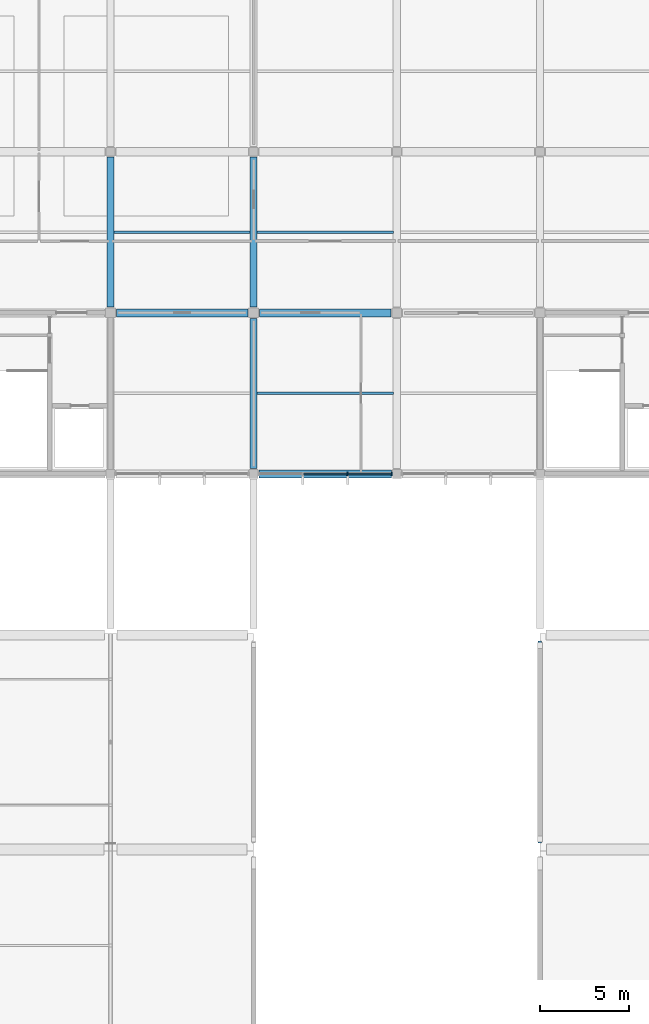
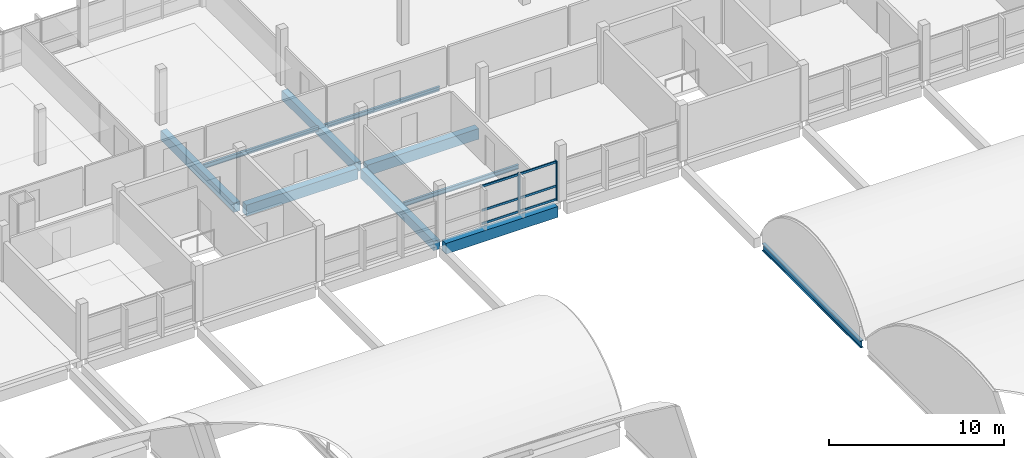
# One storey, part 21 of 57: 10 beams, 8 members, 1 element without a shape of its own.
"""IFC4 building model written with IfcOpenShell, lengths in metres."""

from ifc_helpers import new_model, si_unit, direction, frame, origin, origin_2d, place, context, subcontext, project, spatial, rectangle, i_section, extrude, material, material_profile, profile_set, type_object, element, aggregate, save


model = new_model("IFC4")

# Units and contexts
model_context = context("Model", 3, precision=1e-05, world=origin(), true_north=direction((0.0, 1.0)))
body_context = subcontext(model_context, "Body", "Model", "MODEL_VIEW")
ifc_project = project(units=[si_unit("LENGTHUNIT", "METRE"), si_unit("AREAUNIT", "SQUARE_METRE"), si_unit("VOLUMEUNIT", "CUBIC_METRE"), si_unit("PLANEANGLEUNIT", "RADIAN"), si_unit("MASSUNIT", "GRAM", prefix="KILO"), si_unit("THERMODYNAMICTEMPERATUREUNIT", "KELVIN"), si_unit("POWERUNIT", "WATT")], contexts=[model_context])

# Site, building, storey
site_placement = place(None, origin())
site = spatial("IfcSite", under=ifc_project, at=site_placement, CompositionType="ELEMENT")
building_placement = place(site_placement, origin())
building = spatial("IfcBuilding", under=site, at=building_placement, Name="Kronsvod Quay Wholesale Market", CompositionType="ELEMENT")
storey_placement = place(building_placement, frame((0.0, 0.0, 13.199951171875)))
storey = spatial("IfcBuildingStorey", under=building, at=storey_placement, Name="L03", CompositionType="ELEMENT", Elevation=13.199951171875)

# Beams
ifc_material_1 = material(Name="Precast concrete C40/50", Category="concrete")
ifc_material_profile_1 = material_profile(ifc_material_1, rectangle(XDim=0.39990234375, YDim=0.64990234375, at=origin_2d()), Name="PCB400x650")
ifc_profile_set_1 = profile_set([ifc_material_profile_1], Name="Precast concrete C40/50")
beam_type_1 = type_object("IfcBeamType", Name="Beam_PCB400x650", PredefinedType="BEAM", material=ifc_profile_set_1)
for number, where, z_axis, x_axis, name in (
    (1, (80.0, 108.324951171875, -0.635009765625), (0.0, 1.0, 0.0), (-1.0, 0.0, 0.0), "BMY-L03-800-1080"),
    (2, (88.0, 99.300048828125, -0.635009765625), (0.0, 1.0, 0.0), (-1.0, 0.0, 0.0), "BMY-L03-880-990"),
    (3, (88.0, 108.324951171875, -0.635009765625), (0.0, 1.0, 0.0), (-1.0, 0.0, 0.0), "BMY-L03-880-1080"),
):
    element("IfcBeam", number, at=place(storey_placement, frame(where, z_axis=z_axis, x_axis=x_axis)), inside=storey, type_object=beam_type_1, Name=name, PredefinedType="BEAM", context=body_context, shape_type="SweptSolid", body=[
        extrude(rectangle(XDim=0.39990234375, YDim=0.64990234375, at=origin_2d()), origin(), (0.0, 0.0, 1.0), 8.375),
    ])
ifc_material_2 = material(Name="Precast concrete C40/50", Category="concrete")
ifc_material_profile_2 = material_profile(ifc_material_2, rectangle(XDim=0.449951171875, YDim=0.75, at=origin_2d()), Name="PCB450x750")
ifc_profile_set_2 = profile_set([ifc_material_profile_2], Name="Precast concrete C40/50")
beam_type_2 = type_object("IfcBeamType", Name="Beam_PCB450x750", PredefinedType="BEAM", material=ifc_profile_set_2)
beam_1_placement = place(storey_placement, frame((88.300048828125, 99.0, -0.68505859375), z_axis=(1.0, 0.0, 0.0), x_axis=(0.0, 1.0, 0.0)))
element("IfcBeam", 4, at=beam_1_placement, inside=storey, type_object=beam_type_2, Name="BMX-L03-880-990", PredefinedType="BEAM", context=body_context, shape_type="SweptSolid", body=[
    extrude(rectangle(XDim=0.449951171875, YDim=0.75, at=origin_2d()), origin(), (0.0, 0.0, 1.0), 7.39990234375),
])
for number, where, z_axis, x_axis, name in (
    (5, (80.324951171875, 108.0, -0.68505859375), (1.0, 0.0, 0.0), (0.0, 1.0, 0.0), "BMX-L03-800-1080"),
    (6, (88.324951171875, 108.0, -0.68505859375), (1.0, 0.0, 0.0), (0.0, 1.0, 0.0), "BMX-L03-880-1080"),
):
    element("IfcBeam", number, at=place(storey_placement, frame(where, z_axis=z_axis, x_axis=x_axis)), inside=storey, type_object=beam_type_2, Name=name, PredefinedType="BEAM", context=body_context, shape_type="SweptSolid", body=[
        extrude(rectangle(XDim=0.449951171875, YDim=0.75, at=origin_2d()), origin(), (0.0, 0.0, 1.0), 7.35009765625),
    ])
ifc_material_3 = material(Name="Steel S355", Category="steel")
ifc_material_profile_3 = material_profile(ifc_material_3, i_section(OverallWidth=0.198974609375, OverallDepth=0.49609375, WebThickness=0.009033203125, FlangeThickness=0.013916015625, FilletRadius=0.02001953125, at=origin_2d()), Name="50B1")
ifc_profile_set_3 = profile_set([ifc_material_profile_3], Name="Steel S355")
beam_type_3 = type_object("IfcBeamType", Name="Girder_Steel50B1", PredefinedType="T_BEAM", material=ifc_profile_set_3)
beam_2_placement = place(storey_placement, frame((104.0, 78.375, -0.468017578125), z_axis=(0.0, 1.0, 0.0), x_axis=(-1.0, 0.0, 0.0)))
element("IfcBeam", 7, at=beam_2_placement, inside=storey, type_object=beam_type_3, Name="BMY-L03-1040-780", PredefinedType="T_BEAM", context=body_context, shape_type="SweptSolid", body=[
    extrude(i_section(OverallWidth=0.198974609375, OverallDepth=0.49609375, WebThickness=0.009033203125, FlangeThickness=0.013916015625, FilletRadius=0.02001953125, at=origin_2d()), origin(), (0.0, 0.0, 1.0), 11.27490234375),
])
ifc_material_4 = material(Name="Steel S355", Category="steel")
ifc_material_profile_4 = material_profile(ifc_material_4, i_section(OverallWidth=0.14990234375, OverallDepth=0.300048828125, WebThickness=0.006591796875, FlangeThickness=0.009033203125, FilletRadius=0.012939453125, at=origin_2d()), Name="30B2")
ifc_profile_set_4 = profile_set([ifc_material_profile_4], Name="Steel S355")
beam_type_4 = type_object("IfcBeamType", Name="Joist_Steel30B2", PredefinedType="JOIST", material=ifc_profile_set_4)
for number, where, z_axis, x_axis, name in (
    (8, (80.195068359375, 112.5, -0.39990234375), (1.0, 0.0, 0.0), (0.0, 1.0, 0.0), "JSTX-L03-800-1080"),
    (9, (88.195068359375, 103.5, -0.39990234375), (1.0, 0.0, 0.0), (0.0, 1.0, 0.0), "JSTX-L03-880-990"),
    (10, (88.195068359375, 112.5, -0.39990234375), (1.0, 0.0, 0.0), (0.0, 1.0, 0.0), "JSTX-L03-880-1080"),
):
    element("IfcBeam", number, at=place(storey_placement, frame(where, z_axis=z_axis, x_axis=x_axis)), inside=storey, type_object=beam_type_4, Name=name, PredefinedType="JOIST", context=body_context, shape_type="SweptSolid", body=[
        extrude(i_section(OverallWidth=0.14990234375, OverallDepth=0.300048828125, WebThickness=0.006591796875, FlangeThickness=0.009033203125, FilletRadius=0.012939453125, at=origin_2d()), origin(), (0.0, 0.0, 1.0), 7.60986328125),
    ])

# Curtain wall, members
ifc_material_5 = material(Name="Thermally broken aluminium and triple low-E glazing", Category="aluminium")
curtain_wall_type = type_object("IfcCurtainWallType", Name="CW_Harbour80x30", PredefinedType="NOTDEFINED", material=ifc_material_5)
curtain_wall_placement = place(storey_placement, origin())
curtain_wall = element("IfcCurtainWall", 11, at=curtain_wall_placement, inside=storey, type_object=curtain_wall_type, Name="CWGX-L03-880-990", PredefinedType="NOTDEFINED")
ifc_material_6 = material(Name="Anodised aluminium", Category="aluminium")
ifc_material_profile_5 = material_profile(ifc_material_6, rectangle(XDim=0.074951171875, YDim=0.199951171875, at=origin_2d()), Name="ALUM75x200")
ifc_profile_set_5 = profile_set([ifc_material_profile_5], Name="Anodised aluminium")
member_type_1 = type_object("IfcMemberType", Name="Mullion_ALU75x200", PredefinedType="MULLION", material=ifc_profile_set_5)
member_1_placement = place(storey_placement, frame((93.251708984375, 99.0, 0.0), z_axis=(0.0, 0.0, 1.0), x_axis=(1.0, 0.0, 0.0)))
member_1 = element("IfcMember", 12, at=member_1_placement, type_object=member_type_1, Name="CWGX-L03-880-990-M3", PredefinedType="MULLION", context=body_context, shape_type="SweptSolid", body=[
    extrude(rectangle(XDim=0.074951171875, YDim=0.199951171875, at=origin_2d()), origin(), (0.0, 0.0, 1.0), 2.75),
])
member_2_placement = place(storey_placement, frame((95.717529296875, 99.0, 0.0), z_axis=(0.0, 0.0, 1.0), x_axis=(1.0, 0.0, 0.0)))
member_2 = element("IfcMember", 13, at=member_2_placement, type_object=member_type_1, Name="CWGX-L03-880-990-M4", PredefinedType="MULLION", context=body_context, shape_type="SweptSolid", body=[
    extrude(rectangle(XDim=0.074951171875, YDim=0.199951171875, at=origin_2d()), origin(), (0.0, 0.0, 1.0), 2.75),
])
ifc_material_7 = material(Name="Anodised aluminium", Category="aluminium")
ifc_material_profile_6 = material_profile(ifc_material_7, rectangle(XDim=0.074951171875, YDim=0.14990234375, at=origin_2d()), Name="ALUT75x150")
ifc_profile_set_6 = profile_set([ifc_material_profile_6], Name="Anodised aluminium")
member_type_2 = type_object("IfcMemberType", Name="Transom_ALU75x150", PredefinedType="USERDEFINED", material=ifc_profile_set_6)
member_3_placement = place(storey_placement, frame((90.785888671875, 99.0, 0.074951171875), z_axis=(1.0, 0.0, 0.0), x_axis=(0.0, 1.0, 0.0)))
member_3 = element("IfcMember", 14, at=member_3_placement, type_object=member_type_2, Name="CWGX-L03-880-990-T1B2", ObjectType="TRANSOM", PredefinedType="USERDEFINED", context=body_context, shape_type="SweptSolid", body=[
    extrude(rectangle(XDim=0.074951171875, YDim=0.14990234375, at=origin_2d()), origin(), (0.0, 0.0, 1.0), 2.42822265625),
])
member_4_placement = place(storey_placement, frame((93.2890625, 99.0, 0.074951171875), z_axis=(1.0, 0.0, 0.0), x_axis=(0.0, 1.0, 0.0)))
member_4 = element("IfcMember", 15, at=member_4_placement, type_object=member_type_2, Name="CWGX-L03-880-990-T1B3", ObjectType="TRANSOM", PredefinedType="USERDEFINED", context=body_context, shape_type="SweptSolid", body=[
    extrude(rectangle(XDim=0.074951171875, YDim=0.14990234375, at=origin_2d()), origin(), (0.0, 0.0, 1.0), 2.390869140625),
])
member_5_placement = place(storey_placement, frame((90.785888671875, 99.0, 1.0), z_axis=(1.0, 0.0, 0.0), x_axis=(0.0, 1.0, 0.0)))
member_5 = element("IfcMember", 16, at=member_5_placement, type_object=member_type_2, Name="CWGX-L03-880-990-T2B2", ObjectType="TRANSOM", PredefinedType="USERDEFINED", context=body_context, shape_type="SweptSolid", body=[
    extrude(rectangle(XDim=0.074951171875, YDim=0.14990234375, at=origin_2d()), origin(), (0.0, 0.0, 1.0), 2.42822265625),
])
member_6_placement = place(storey_placement, frame((93.2890625, 99.0, 1.0), z_axis=(1.0, 0.0, 0.0), x_axis=(0.0, 1.0, 0.0)))
member_6 = element("IfcMember", 17, at=member_6_placement, type_object=member_type_2, Name="CWGX-L03-880-990-T2B3", ObjectType="TRANSOM", PredefinedType="USERDEFINED", context=body_context, shape_type="SweptSolid", body=[
    extrude(rectangle(XDim=0.074951171875, YDim=0.14990234375, at=origin_2d()), origin(), (0.0, 0.0, 1.0), 2.390869140625),
])
member_7_placement = place(storey_placement, frame((90.785888671875, 99.0, 2.675048828125), z_axis=(1.0, 0.0, 0.0), x_axis=(0.0, 1.0, 0.0)))
member_7 = element("IfcMember", 18, at=member_7_placement, type_object=member_type_2, Name="CWGX-L03-880-990-T3B2", ObjectType="TRANSOM", PredefinedType="USERDEFINED", context=body_context, shape_type="SweptSolid", body=[
    extrude(rectangle(XDim=0.074951171875, YDim=0.14990234375, at=origin_2d()), origin(), (0.0, 0.0, 1.0), 2.42822265625),
])
member_8_placement = place(storey_placement, frame((93.2890625, 99.0, 2.675048828125), z_axis=(1.0, 0.0, 0.0), x_axis=(0.0, 1.0, 0.0)))
member_8 = element("IfcMember", 19, at=member_8_placement, type_object=member_type_2, Name="CWGX-L03-880-990-T3B3", ObjectType="TRANSOM", PredefinedType="USERDEFINED", context=body_context, shape_type="SweptSolid", body=[
    extrude(rectangle(XDim=0.074951171875, YDim=0.14990234375, at=origin_2d()), origin(), (0.0, 0.0, 1.0), 2.390869140625),
])
aggregate(curtain_wall, [member_1, member_2, member_3, member_4, member_5, member_6, member_7, member_8])

save(model, "model.ifc")
